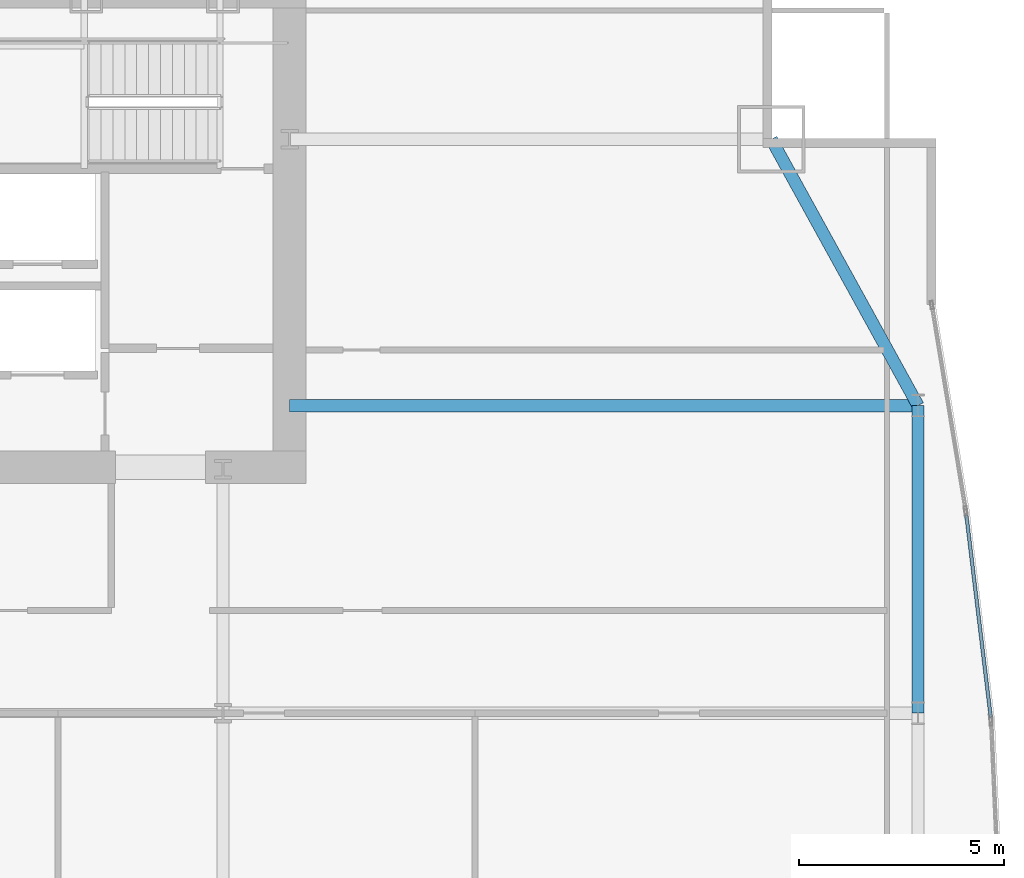
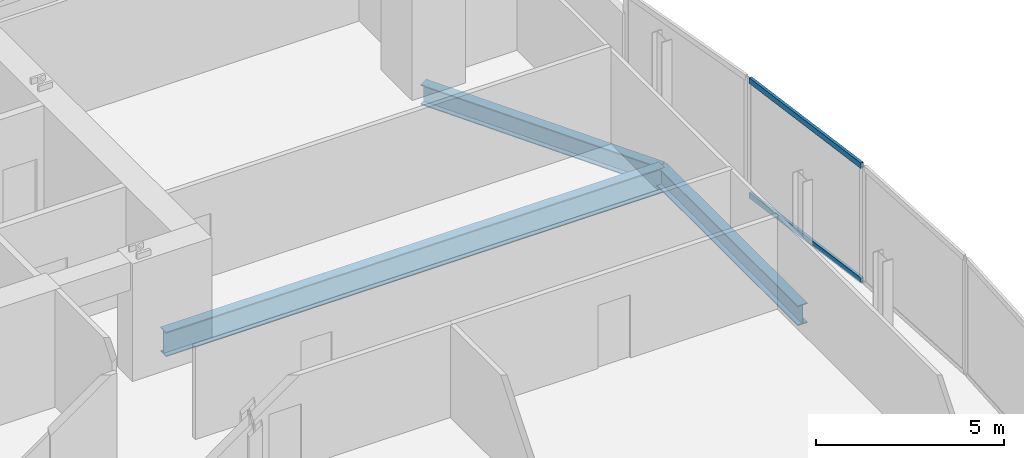
# One storey, part 23 of 32: 3 beams, 2 members, 1 element without a shape of its own.
"""IFC4 building model written with IfcOpenShell, lengths in metres."""

from ifc_helpers import new_model, si_unit, direction, frame, origin, origin_2d, place, context, subcontext, project, spatial, hollow_rectangle, i_section, extrude, material, material_profile, profile_set, type_object, element, aggregate, save


model = new_model("IFC4")

# Units and contexts
model_context = context("Model", 3, precision=1e-05, world=origin(), true_north=direction((0.0, 1.0)))
body_context = subcontext(model_context, "Body", "Model", "MODEL_VIEW")
ifc_project = project(units=[si_unit("LENGTHUNIT", "METRE"), si_unit("AREAUNIT", "SQUARE_METRE"), si_unit("VOLUMEUNIT", "CUBIC_METRE"), si_unit("PLANEANGLEUNIT", "RADIAN"), si_unit("MASSUNIT", "GRAM", prefix="KILO")], contexts=[model_context])

# Site, building, storey
site_placement = place(None, origin())
site = spatial("IfcSite", under=ifc_project, at=site_placement, CompositionType="ELEMENT")
building_placement = place(site_placement, origin())
building = spatial("IfcBuilding", under=site, at=building_placement, Name="Khoronbel Lancet Exchange", CompositionType="ELEMENT")
storey_placement = place(building_placement, frame((0.0, 0.0, 65.800048828125)))
storey = spatial("IfcBuildingStorey", under=building, at=storey_placement, Name="L15", CompositionType="ELEMENT", Elevation=65.800048828125)

# Beams
ifc_material_1 = material(Name="Steel S355", Category="steel")
ifc_material_profile_1 = material_profile(ifc_material_1, i_section(OverallWidth=0.300048828125, OverallDepth=0.800048828125, WebThickness=0.017578125, FlangeThickness=0.032958984375, at=origin_2d()), Name="HEB 800")
ifc_profile_set_1 = profile_set([ifc_material_profile_1], Name="Steel S355")
beam_type_1 = type_object("IfcBeamType", Name="BM-BG2", PredefinedType="BEAM", material=ifc_profile_set_1)
beam_1_placement = place(storey_placement, frame((56.300048828125, 43.199951171875, -0.580078125), z_axis=(1.0, 0.0, 0.0), x_axis=(0.0, 1.0, 0.0)))
element("IfcBeam", 1, at=beam_1_placement, inside=storey, type_object=beam_type_1, Name="Level L15 east lens tie girder LG3E", PredefinedType="BEAM", context=body_context, shape_type="SweptSolid", body=[
    extrude(i_section(OverallWidth=0.300048828125, OverallDepth=0.800048828125, WebThickness=0.017578125, FlangeThickness=0.032958984375, at=origin_2d()), origin(), (0.0, 0.0, 1.0), 15.329833984375),
])
ifc_material_profile_2 = material_profile(ifc_material_1, i_section(OverallWidth=0.300048828125, OverallDepth=0.64990234375, WebThickness=0.01611328125, FlangeThickness=0.031005859375, at=origin_2d()), Name="HEB 650")
ifc_profile_set_2 = profile_set([ifc_material_profile_2], Name="Steel S355")
beam_type_2 = type_object("IfcBeamType", Name="BM-BSP1", PredefinedType="SPANDREL", material=ifc_profile_set_2)
beam_2_placement = place(storey_placement, frame((71.6298828125, 35.699951171875, -0.505126953125), z_axis=(0.0, 1.0, 0.0), x_axis=(-1.0, 0.0, 0.0)))
element("IfcBeam", 2, at=beam_2_placement, inside=storey, type_object=beam_type_2, Name="Level L15 perimeter spandrel beam SP14", PredefinedType="SPANDREL", context=body_context, shape_type="SweptSolid", body=[
    extrude(i_section(OverallWidth=0.300048828125, OverallDepth=0.64990234375, WebThickness=0.01611328125, FlangeThickness=0.031005859375, at=origin_2d()), origin(), (0.0, 0.0, 1.0), 7.5),
])
beam_3_placement = place(storey_placement, frame((71.6298828125, 43.199951171875, -0.505126953125), z_axis=(-0.482418808117, 0.875940690672, 0.0), x_axis=(-0.875940690672, -0.482418808117, 0.0)))
element("IfcBeam", 3, at=beam_3_placement, inside=storey, type_object=beam_type_2, Name="Level L15 perimeter spandrel beam SP15", PredefinedType="SPANDREL", context=body_context, shape_type="SweptSolid", body=[
    extrude(i_section(OverallWidth=0.300048828125, OverallDepth=0.64990234375, WebThickness=0.01611328125, FlangeThickness=0.031005859375, at=origin_2d()), origin(), (0.0, 0.0, 1.0), 7.420654296875),
])

# Curtain wall, members
ifc_material_2 = material(Name="Low-E Solar Control Insulating Glass", Category="glass")
curtain_wall_type = type_object("IfcCurtainWallType", Name="CW-4", PredefinedType="NOTDEFINED", material=ifc_material_2)
curtain_wall_placement = place(storey_placement, origin())
curtain_wall = element("IfcCurtainWall", 4, at=curtain_wall_placement, inside=storey, type_object=curtain_wall_type, Name="Unitised curtain wall CW-L15-E18", PredefinedType="NOTDEFINED")
ifc_material_3 = material(Name="Bronze-Anodised Aluminium 6063-T6", Category="aluminium")
ifc_material_profile_3 = material_profile(ifc_material_3, hollow_rectangle(XDim=0.0849609375, YDim=0.179931640625, WallThickness=0.0048828125, at=origin_2d()), Name="ALU TRANSOM 85x180")
ifc_profile_set_3 = profile_set([ifc_material_profile_3], Name="Bronze-Anodised Aluminium 6063-T6")
member_type = type_object("IfcMemberType", Name="MEM-CWT1", PredefinedType="USERDEFINED", material=ifc_profile_set_3)
member_1_placement = place(storey_placement, frame((72.807861328125, 40.529541015625, 0.04248046875), z_axis=(0.119833530276, -0.992793999288, 0.0), x_axis=(0.992793999288, 0.119833530276, 0.0)))
member_1 = element("IfcMember", 5, at=member_1_placement, type_object=member_type, Name="CW4 transom 1.1", ObjectType="TRANSOM", PredefinedType="USERDEFINED", context=body_context, shape_type="SweptSolid", body=[
    extrude(hollow_rectangle(XDim=0.0849609375, YDim=0.179931640625, WallThickness=0.0048828125, at=origin_2d()), origin(), (0.0, 0.0, 1.0), 4.965087890625),
])
member_2_placement = place(storey_placement, frame((72.807861328125, 40.529541015625, 3.77734375), z_axis=(0.119833530276, -0.992793999288, 0.0), x_axis=(0.992793999288, 0.119833530276, 0.0)))
member_2 = element("IfcMember", 6, at=member_2_placement, type_object=member_type, Name="CW4 transom 1.2", ObjectType="TRANSOM", PredefinedType="USERDEFINED", context=body_context, shape_type="SweptSolid", body=[
    extrude(hollow_rectangle(XDim=0.0849609375, YDim=0.179931640625, WallThickness=0.0048828125, at=origin_2d()), origin(), (0.0, 0.0, 1.0), 4.965087890625),
])
aggregate(curtain_wall, [member_1, member_2])

save(model, "model.ifc")
